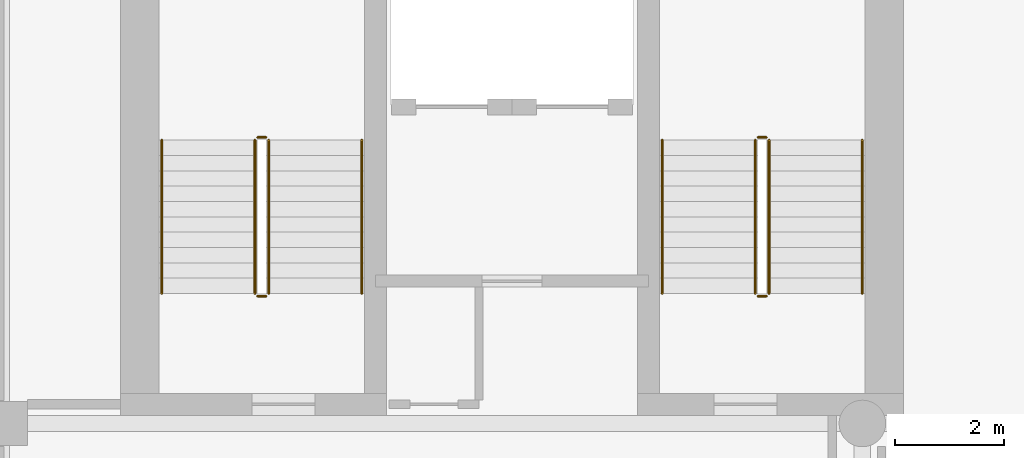
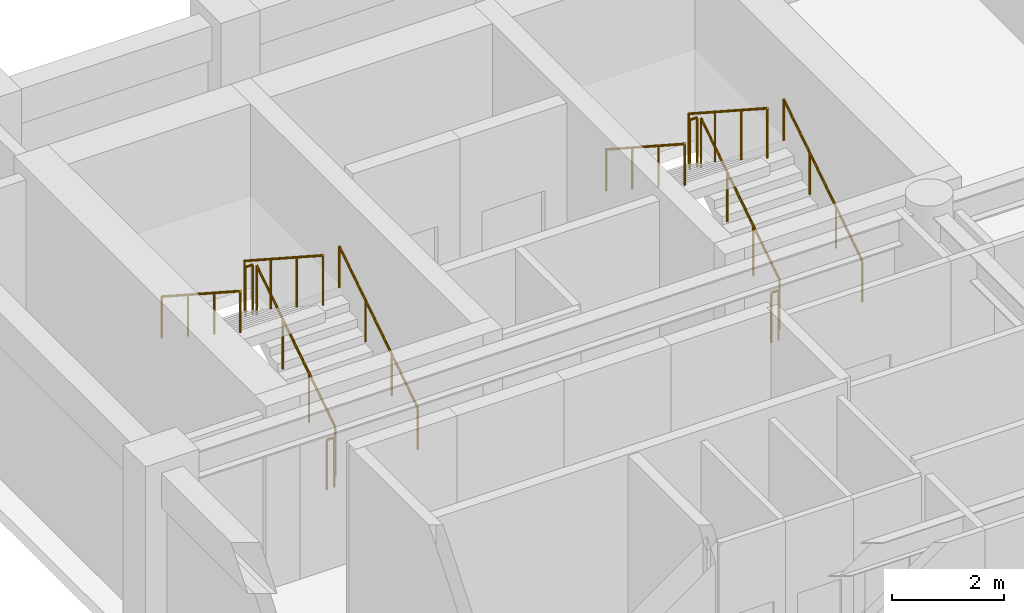
# One storey, part 10 of 11: 12 railings.
"""IFC4 building model written with IfcOpenShell, lengths in metres."""

from ifc_helpers import new_model, si_unit, direction, frame, origin, origin_2d, place, context, subcontext, project, spatial, circle, extrude, material, type_object, element, save


model = new_model("IFC4")

# Units and contexts
model_context = context("Model", 3, precision=1e-05, world=origin(), true_north=direction((0.0, 1.0)))
body_context = subcontext(model_context, "Body", "Model", "MODEL_VIEW")
ifc_project = project(units=[si_unit("LENGTHUNIT", "METRE"), si_unit("AREAUNIT", "SQUARE_METRE"), si_unit("VOLUMEUNIT", "CUBIC_METRE"), si_unit("PLANEANGLEUNIT", "RADIAN"), si_unit("MASSUNIT", "GRAM", prefix="KILO")], contexts=[model_context])

# Site, building, storey
site_placement = place(None, origin())
site = spatial("IfcSite", under=ifc_project, at=site_placement, CompositionType="ELEMENT")
building_placement = place(site_placement, origin())
building = spatial("IfcBuilding", under=site, at=building_placement, Name="Sulina Concourse Tower", CompositionType="ELEMENT")
storey_placement = place(building_placement, frame((0.0, 0.0, 218.60009765625)))
storey = spatial("IfcBuildingStorey", under=building, at=storey_placement, Name="L53", CompositionType="ELEMENT", Elevation=218.60009765625)

# Railings
ifc_material_1 = material(Name="Galvanised steel railing", Category="steel")
railing_type_1 = type_object("IfcRailingType", Name="Core Stair Steel Guardrail 1150mm", PredefinedType="GUARDRAIL", material=ifc_material_1)
railing_1_placement = place(storey_placement, frame((5.554931640625, 36.375, 0.181640625)))
element("IfcRailing", 1, at=railing_1_placement, inside=storey, type_object=railing_type_1, Name="L53 ST-1 stair guard 1", PredefinedType="GUARDRAIL", context=body_context, shape_type="SweptSolid", body=[
    extrude(circle(Radius=0.02392578125, at=origin_2d()), frame((0.0, 0.0, 1.076171875), z_axis=(0.0, 0.838672427954, 0.544636170843), x_axis=(-1.0, 0.0, 0.0)), (0.0, 0.0, 1.0), 3.338623046875),
    extrude(circle(Radius=0.02099609375, at=origin_2d()), origin(), (0.0, 0.0, 1.0), 1.052001953125),
    extrude(circle(Radius=0.02099609375, at=origin_2d()), frame((0.0, 0.933349609375, 0.606201171875)), (0.0, 0.0, 1.0), 1.052001953125),
    extrude(circle(Radius=0.02099609375, at=origin_2d()), frame((0.0, 1.86669921875, 1.212158203125)), (0.0, 0.0, 1.0), 1.052001953125),
    extrude(circle(Radius=0.02099609375, at=origin_2d()), frame((0.0, 2.800048828125, 1.818359375)), (0.0, 0.0, 1.0), 1.052001953125),
])
railing_2_placement = place(storey_placement, frame((5.5048828125, 39.22509765625, 2.0)))
element("IfcRailing", 2, at=railing_2_placement, inside=storey, type_object=railing_type_1, Name="L53 ST-1 stair guard 2", PredefinedType="GUARDRAIL", context=body_context, shape_type="SweptSolid", body=[
    extrude(circle(Radius=0.02392578125, at=origin_2d()), frame((0.0, 0.0, 1.076171875), z_axis=(-1.0, 0.0, 0.0), x_axis=(0.0, -1.0, 0.0)), (0.0, 0.0, 1.0), 0.14990234375),
    extrude(circle(Radius=0.02099609375, at=origin_2d()), origin(), (0.0, 0.0, 1.0), 1.052001953125),
    extrude(circle(Radius=0.02099609375, at=origin_2d()), frame((-0.14990234375, 0.0, 0.0)), (0.0, 0.0, 1.0), 1.052001953125),
])
railing_3_placement = place(storey_placement, frame((5.304931640625, 39.175048828125, 2.181640625)))
element("IfcRailing", 3, at=railing_3_placement, inside=storey, type_object=railing_type_1, Name="L53 ST-1 stair guard 3", PredefinedType="GUARDRAIL", context=body_context, shape_type="SweptSolid", body=[
    extrude(circle(Radius=0.02392578125, at=origin_2d()), frame((0.0, 0.0, 1.076171875), z_axis=(0.0, -0.838672427954, 0.544636170843), x_axis=(1.0, 0.0, 0.0)), (0.0, 0.0, 1.0), 3.338623046875),
    extrude(circle(Radius=0.02099609375, at=origin_2d()), origin(), (0.0, 0.0, 1.0), 1.052001953125),
    extrude(circle(Radius=0.02099609375, at=origin_2d()), frame((0.0, -0.933349609375, 0.606201171875)), (0.0, 0.0, 1.0), 1.052001953125),
    extrude(circle(Radius=0.02099609375, at=origin_2d()), frame((0.0, -1.86669921875, 1.212158203125)), (0.0, 0.0, 1.0), 1.052001953125),
    extrude(circle(Radius=0.02099609375, at=origin_2d()), frame((0.0, -2.800048828125, 1.818359375)), (0.0, 0.0, 1.0), 1.052001953125),
])
railing_4_placement = place(storey_placement, frame((5.5048828125, 36.324951171875, 0.0)))
element("IfcRailing", 4, at=railing_4_placement, inside=storey, type_object=railing_type_1, Name="L53 ST-1 stair guard 4", PredefinedType="GUARDRAIL", context=body_context, shape_type="SweptSolid", body=[
    extrude(circle(Radius=0.02392578125, at=origin_2d()), frame((0.0, 0.0, 1.076171875), z_axis=(-1.0, 0.0, 0.0), x_axis=(0.0, -1.0, 0.0)), (0.0, 0.0, 1.0), 0.14990234375),
    extrude(circle(Radius=0.02099609375, at=origin_2d()), origin(), (0.0, 0.0, 1.0), 1.052001953125),
    extrude(circle(Radius=0.02099609375, at=origin_2d()), frame((-0.14990234375, 0.0, 0.0)), (0.0, 0.0, 1.0), 1.052001953125),
])
railing_5_placement = place(storey_placement, frame((14.695068359375, 36.375, 0.181640625)))
element("IfcRailing", 5, at=railing_5_placement, inside=storey, type_object=railing_type_1, Name="L53 ST-2 stair guard 1", PredefinedType="GUARDRAIL", context=body_context, shape_type="SweptSolid", body=[
    extrude(circle(Radius=0.02392578125, at=origin_2d()), frame((0.0, 0.0, 1.076171875), z_axis=(0.0, 0.838672427954, 0.544636170843), x_axis=(-1.0, 0.0, 0.0)), (0.0, 0.0, 1.0), 3.338623046875),
    extrude(circle(Radius=0.02099609375, at=origin_2d()), origin(), (0.0, 0.0, 1.0), 1.052001953125),
    extrude(circle(Radius=0.02099609375, at=origin_2d()), frame((0.0, 0.933349609375, 0.606201171875)), (0.0, 0.0, 1.0), 1.052001953125),
    extrude(circle(Radius=0.02099609375, at=origin_2d()), frame((0.0, 1.86669921875, 1.212158203125)), (0.0, 0.0, 1.0), 1.052001953125),
    extrude(circle(Radius=0.02099609375, at=origin_2d()), frame((0.0, 2.800048828125, 1.818359375)), (0.0, 0.0, 1.0), 1.052001953125),
])
railing_6_placement = place(storey_placement, frame((14.64501953125, 39.22509765625, 2.0)))
element("IfcRailing", 6, at=railing_6_placement, inside=storey, type_object=railing_type_1, Name="L53 ST-2 stair guard 2", PredefinedType="GUARDRAIL", context=body_context, shape_type="SweptSolid", body=[
    extrude(circle(Radius=0.02392578125, at=origin_2d()), frame((0.0, 0.0, 1.076171875), z_axis=(-1.0, 0.0, 0.0), x_axis=(0.0, -1.0, 0.0)), (0.0, 0.0, 1.0), 0.14990234375),
    extrude(circle(Radius=0.02099609375, at=origin_2d()), origin(), (0.0, 0.0, 1.0), 1.052001953125),
    extrude(circle(Radius=0.02099609375, at=origin_2d()), frame((-0.14990234375, 0.0, 0.0)), (0.0, 0.0, 1.0), 1.052001953125),
])
railing_7_placement = place(storey_placement, frame((14.445068359375, 39.175048828125, 2.181640625)))
element("IfcRailing", 7, at=railing_7_placement, inside=storey, type_object=railing_type_1, Name="L53 ST-2 stair guard 3", PredefinedType="GUARDRAIL", context=body_context, shape_type="SweptSolid", body=[
    extrude(circle(Radius=0.02392578125, at=origin_2d()), frame((0.0, 0.0, 1.076171875), z_axis=(0.0, -0.838672427954, 0.544636170843), x_axis=(1.0, 0.0, 0.0)), (0.0, 0.0, 1.0), 3.338623046875),
    extrude(circle(Radius=0.02099609375, at=origin_2d()), origin(), (0.0, 0.0, 1.0), 1.052001953125),
    extrude(circle(Radius=0.02099609375, at=origin_2d()), frame((0.0, -0.933349609375, 0.606201171875)), (0.0, 0.0, 1.0), 1.052001953125),
    extrude(circle(Radius=0.02099609375, at=origin_2d()), frame((0.0, -1.86669921875, 1.212158203125)), (0.0, 0.0, 1.0), 1.052001953125),
    extrude(circle(Radius=0.02099609375, at=origin_2d()), frame((0.0, -2.800048828125, 1.818359375)), (0.0, 0.0, 1.0), 1.052001953125),
])
railing_8_placement = place(storey_placement, frame((14.64501953125, 36.324951171875, 0.0)))
element("IfcRailing", 8, at=railing_8_placement, inside=storey, type_object=railing_type_1, Name="L53 ST-2 stair guard 4", PredefinedType="GUARDRAIL", context=body_context, shape_type="SweptSolid", body=[
    extrude(circle(Radius=0.02392578125, at=origin_2d()), frame((0.0, 0.0, 1.076171875), z_axis=(-1.0, 0.0, 0.0), x_axis=(0.0, -1.0, 0.0)), (0.0, 0.0, 1.0), 0.14990234375),
    extrude(circle(Radius=0.02099609375, at=origin_2d()), origin(), (0.0, 0.0, 1.0), 1.052001953125),
    extrude(circle(Radius=0.02099609375, at=origin_2d()), frame((-0.14990234375, 0.0, 0.0)), (0.0, 0.0, 1.0), 1.052001953125),
])
ifc_material_2 = material(Name="Galvanised steel railing", Category="steel")
railing_type_2 = type_object("IfcRailingType", Name="Stair Wall Steel Handrail 920mm", PredefinedType="HANDRAIL", material=ifc_material_2)
railing_9_placement = place(storey_placement, frame((7.2548828125, 36.375, 0.181640625)))
element("IfcRailing", 9, at=railing_9_placement, inside=storey, type_object=railing_type_2, Name="L53 ST-1 stair handrail 1", PredefinedType="HANDRAIL", context=body_context, shape_type="SweptSolid", body=[
    extrude(circle(Radius=0.02392578125, at=origin_2d()), frame((0.0, 0.0, 0.89599609375), z_axis=(0.0, 0.838672427954, 0.544636170843), x_axis=(-1.0, 0.0, 0.0)), (0.0, 0.0, 1.0), 3.338623046875),
    extrude(circle(Radius=0.02099609375, at=origin_2d()), origin(), (0.0, 0.0, 1.0), 0.871826171875),
    extrude(circle(Radius=0.02099609375, at=origin_2d()), frame((0.0, 0.933349609375, 0.606201171875)), (0.0, 0.0, 1.0), 0.871826171875),
    extrude(circle(Radius=0.02099609375, at=origin_2d()), frame((0.0, 1.86669921875, 1.212158203125)), (0.0, 0.0, 1.0), 0.871826171875),
    extrude(circle(Radius=0.02099609375, at=origin_2d()), frame((0.0, 2.800048828125, 1.818359375)), (0.0, 0.0, 1.0), 0.871826171875),
])
railing_10_placement = place(storey_placement, frame((3.60498046875, 39.175048828125, 2.181640625)))
element("IfcRailing", 10, at=railing_10_placement, inside=storey, type_object=railing_type_2, Name="L53 ST-1 stair handrail 2", PredefinedType="HANDRAIL", context=body_context, shape_type="SweptSolid", body=[
    extrude(circle(Radius=0.02392578125, at=origin_2d()), frame((0.0, 0.0, 0.89599609375), z_axis=(0.0, -0.838672427954, 0.544636170843), x_axis=(1.0, 0.0, 0.0)), (0.0, 0.0, 1.0), 3.338623046875),
    extrude(circle(Radius=0.02099609375, at=origin_2d()), origin(), (0.0, 0.0, 1.0), 0.871826171875),
    extrude(circle(Radius=0.02099609375, at=origin_2d()), frame((0.0, -0.933349609375, 0.606201171875)), (0.0, 0.0, 1.0), 0.871826171875),
    extrude(circle(Radius=0.02099609375, at=origin_2d()), frame((0.0, -1.86669921875, 1.212158203125)), (0.0, 0.0, 1.0), 0.871826171875),
    extrude(circle(Radius=0.02099609375, at=origin_2d()), frame((0.0, -2.800048828125, 1.818359375)), (0.0, 0.0, 1.0), 0.871826171875),
])
railing_11_placement = place(storey_placement, frame((16.39501953125, 36.375, 0.181640625)))
element("IfcRailing", 11, at=railing_11_placement, inside=storey, type_object=railing_type_2, Name="L53 ST-2 stair handrail 1", PredefinedType="HANDRAIL", context=body_context, shape_type="SweptSolid", body=[
    extrude(circle(Radius=0.02392578125, at=origin_2d()), frame((0.0, 0.0, 0.89599609375), z_axis=(0.0, 0.838672427954, 0.544636170843), x_axis=(-1.0, 0.0, 0.0)), (0.0, 0.0, 1.0), 3.338623046875),
    extrude(circle(Radius=0.02099609375, at=origin_2d()), origin(), (0.0, 0.0, 1.0), 0.871826171875),
    extrude(circle(Radius=0.02099609375, at=origin_2d()), frame((0.0, 0.933349609375, 0.606201171875)), (0.0, 0.0, 1.0), 0.871826171875),
    extrude(circle(Radius=0.02099609375, at=origin_2d()), frame((0.0, 1.86669921875, 1.212158203125)), (0.0, 0.0, 1.0), 0.871826171875),
    extrude(circle(Radius=0.02099609375, at=origin_2d()), frame((0.0, 2.800048828125, 1.818359375)), (0.0, 0.0, 1.0), 0.871826171875),
])
railing_12_placement = place(storey_placement, frame((12.7451171875, 39.175048828125, 2.181640625)))
element("IfcRailing", 12, at=railing_12_placement, inside=storey, type_object=railing_type_2, Name="L53 ST-2 stair handrail 2", PredefinedType="HANDRAIL", context=body_context, shape_type="SweptSolid", body=[
    extrude(circle(Radius=0.02392578125, at=origin_2d()), frame((0.0, 0.0, 0.89599609375), z_axis=(0.0, -0.838672427954, 0.544636170843), x_axis=(1.0, 0.0, 0.0)), (0.0, 0.0, 1.0), 3.338623046875),
    extrude(circle(Radius=0.02099609375, at=origin_2d()), origin(), (0.0, 0.0, 1.0), 0.871826171875),
    extrude(circle(Radius=0.02099609375, at=origin_2d()), frame((0.0, -0.933349609375, 0.606201171875)), (0.0, 0.0, 1.0), 0.871826171875),
    extrude(circle(Radius=0.02099609375, at=origin_2d()), frame((0.0, -1.86669921875, 1.212158203125)), (0.0, 0.0, 1.0), 0.871826171875),
    extrude(circle(Radius=0.02099609375, at=origin_2d()), frame((0.0, -2.800048828125, 1.818359375)), (0.0, 0.0, 1.0), 0.871826171875),
])

save(model, "model.ifc")
